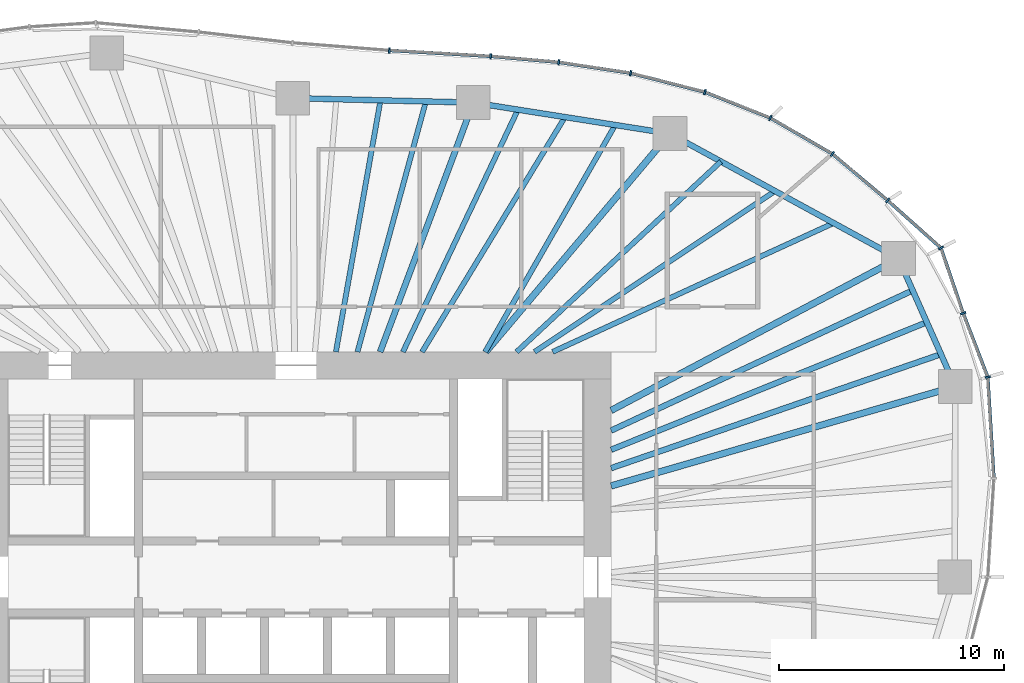
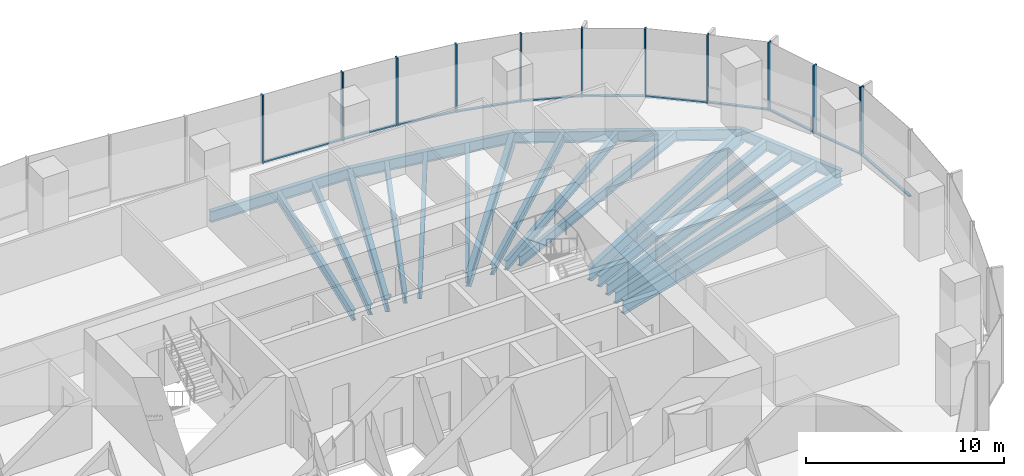
# One storey, part 6 of 18: 22 members, 19 beams, 5 elements without a shape of their own.
"""IFC4 building model written with IfcOpenShell, lengths in metres."""

from ifc_helpers import new_model, si_unit, direction, frame, origin, origin_2d, place, context, subcontext, project, spatial, rectangle, i_section, extrude, material, material_profile, profile_set, type_object, element, aggregate, save


model = new_model("IFC4")

# Units and contexts
model_context = context("Model", 3, precision=1e-05, world=origin(), true_north=direction((0.0, 1.0)))
body_context = subcontext(model_context, "Body", "Model", "MODEL_VIEW")
ifc_project = project(units=[si_unit("LENGTHUNIT", "METRE"), si_unit("AREAUNIT", "SQUARE_METRE"), si_unit("VOLUMEUNIT", "CUBIC_METRE"), si_unit("PLANEANGLEUNIT", "RADIAN"), si_unit("MASSUNIT", "GRAM", prefix="KILO")], contexts=[model_context])

# Site, building, storey
site_placement = place(None, origin())
site = spatial("IfcSite", under=ifc_project, at=site_placement, CompositionType="ELEMENT")
building_placement = place(site_placement, origin())
building = spatial("IfcBuilding", under=site, at=building_placement, Name="Ghaith Harvest Tower", CompositionType="ELEMENT")
storey_placement = place(building_placement, frame((0.0, 0.0, 121.800048828125)))
storey = spatial("IfcBuildingStorey", under=building, at=storey_placement, Name="L25", CompositionType="ELEMENT", Elevation=121.800048828125)

# Curtain wall, members
ifc_material_1 = material(Name="Black anodised aluminium and fritted glass", Category="aluminium")
curtain_wall_type = type_object("IfcCurtainWallType", Name="CW-L CURTAIN WALL", PredefinedType="NOTDEFINED", material=ifc_material_1)
curtain_wall_1_placement = place(storey_placement, origin())
curtain_wall_1 = element("IfcCurtainWall", 1, at=curtain_wall_1_placement, inside=storey, type_object=curtain_wall_type, Name="Curtain wall CW-L bay 02 L25", PredefinedType="NOTDEFINED")
ifc_material_2 = material(Name="Aluminium, black anodised", Category="aluminium")
ifc_material_profile_1 = material_profile(ifc_material_2, rectangle(XDim=0.080078125, YDim=0.239990234375, at=origin_2d()), Name="CW-L MULLION 80x240")
ifc_profile_set_1 = profile_set([ifc_material_profile_1], Name="Aluminium, black anodised")
member_type_1 = type_object("IfcMemberType", Name="CW-L MULLION 80x240", PredefinedType="MULLION", material=ifc_profile_set_1)
member_1_placement = place(storey_placement, frame((30.727294921875, 8.880859375, 0.0), z_axis=(0.0, 0.0, 1.0), x_axis=(-0.183070248196, 0.983099834313, 0.0)))
member_1 = element("IfcMember", 2, at=member_1_placement, type_object=member_type_1, Name="CW-L mullion 1 bay 02 L25", PredefinedType="MULLION", context=body_context, shape_type="SweptSolid", body=[
    extrude(rectangle(XDim=0.080078125, YDim=0.239990234375, at=origin_2d()), origin(), (0.0, 0.0, 1.0), 4.199951171875),
])
member_2_placement = place(storey_placement, frame((29.634521484375, 11.7158203125, 0.0), z_axis=(0.0, 0.0, 1.0), x_axis=(-0.340771198528, 0.940146260033, 0.0)))
member_2 = element("IfcMember", 3, at=member_2_placement, type_object=member_type_1, Name="CW-L mullion 2 bay 02 L25", PredefinedType="MULLION", context=body_context, shape_type="SweptSolid", body=[
    extrude(rectangle(XDim=0.080078125, YDim=0.239990234375, at=origin_2d()), origin(), (0.0, 0.0, 1.0), 4.199951171875),
])
member_3_placement = place(storey_placement, frame((28.64990234375, 14.61181640625, 0.0), z_axis=(0.0, 0.0, 1.0), x_axis=(-0.556324287652, 0.830965274225, 0.0)))
member_3 = element("IfcMember", 4, at=member_3_placement, type_object=member_type_1, Name="CW-L mullion 3 bay 02 L25", PredefinedType="MULLION", context=body_context, shape_type="SweptSolid", body=[
    extrude(rectangle(XDim=0.080078125, YDim=0.239990234375, at=origin_2d()), origin(), (0.0, 0.0, 1.0), 4.199951171875),
])

curtain_wall_2_placement = place(storey_placement, origin())
curtain_wall_2 = element("IfcCurtainWall", 5, at=curtain_wall_2_placement, inside=storey, type_object=curtain_wall_type, Name="Curtain wall CW-L bay 03 L25", PredefinedType="NOTDEFINED")
member_4_placement = place(storey_placement, frame((26.28076171875, 16.725341796875, 0.0), z_axis=(0.0, 0.0, 1.0), x_axis=(-0.755999423268, 0.654572281737, 0.0)))
member_4 = element("IfcMember", 6, at=member_4_placement, type_object=member_type_1, Name="CW-L mullion 1 bay 03 L25", PredefinedType="MULLION", context=body_context, shape_type="SweptSolid", body=[
    extrude(rectangle(XDim=0.080078125, YDim=0.239990234375, at=origin_2d()), origin(), (0.0, 0.0, 1.0), 4.199951171875),
])
member_5_placement = place(storey_placement, frame((23.82177734375, 18.792236328125, 0.0), z_axis=(0.0, 0.0, 1.0), x_axis=(-0.818228862146, 0.574892624018, 0.0)))
member_5 = element("IfcMember", 7, at=member_5_placement, type_object=member_type_1, Name="CW-L mullion 2 bay 03 L25", PredefinedType="MULLION", context=body_context, shape_type="SweptSolid", body=[
    extrude(rectangle(XDim=0.080078125, YDim=0.239990234375, at=origin_2d()), origin(), (0.0, 0.0, 1.0), 4.199951171875),
])
member_6_placement = place(storey_placement, frame((21.066162109375, 20.38916015625, 0.0), z_axis=(0.0, 0.0, 1.0), x_axis=(-0.899713343282, 0.436481270985, 0.0)))
member_6 = element("IfcMember", 8, at=member_6_placement, type_object=member_type_1, Name="CW-L mullion 3 bay 03 L25", PredefinedType="MULLION", context=body_context, shape_type="SweptSolid", body=[
    extrude(rectangle(XDim=0.080078125, YDim=0.239990234375, at=origin_2d()), origin(), (0.0, 0.0, 1.0), 4.199951171875),
])

curtain_wall_3_placement = place(storey_placement, origin())
curtain_wall_3 = element("IfcCurtainWall", 9, at=curtain_wall_3_placement, inside=storey, type_object=curtain_wall_type, Name="Curtain wall CW-L bay 04 L25", PredefinedType="NOTDEFINED")
member_7_placement = place(storey_placement, frame((18.162353515625, 21.537841796875, 0.0), z_axis=(0.0, 0.0, 1.0), x_axis=(-0.952152258113, 0.30562407852, 0.0)))
member_7 = element("IfcMember", 10, at=member_7_placement, type_object=member_type_1, Name="CW-L mullion 1 bay 04 L25", PredefinedType="MULLION", context=body_context, shape_type="SweptSolid", body=[
    extrude(rectangle(XDim=0.080078125, YDim=0.239990234375, at=origin_2d()), origin(), (0.0, 0.0, 1.0), 4.199951171875),
])
member_8_placement = place(storey_placement, frame((14.86474609375, 22.379638671875, 0.0), z_axis=(0.0, 0.0, 1.0), x_axis=(-0.979751952122, 0.200215165041, 0.0)))
member_8 = element("IfcMember", 11, at=member_8_placement, type_object=member_type_1, Name="CW-L mullion 2 bay 04 L25", PredefinedType="MULLION", context=body_context, shape_type="SweptSolid", body=[
    extrude(rectangle(XDim=0.080078125, YDim=0.239990234375, at=origin_2d()), origin(), (0.0, 0.0, 1.0), 4.199951171875),
])
member_9_placement = place(storey_placement, frame((11.672607421875, 22.864013671875, 0.0), z_axis=(0.0, 0.0, 1.0), x_axis=(-0.992800497873, 0.119779678673, 0.0)))
member_9 = element("IfcMember", 12, at=member_9_placement, type_object=member_type_1, Name="CW-L mullion 3 bay 04 L25", PredefinedType="MULLION", context=body_context, shape_type="SweptSolid", body=[
    extrude(rectangle(XDim=0.080078125, YDim=0.239990234375, at=origin_2d()), origin(), (0.0, 0.0, 1.0), 4.199951171875),
])

curtain_wall_4_placement = place(storey_placement, origin())
curtain_wall_4 = element("IfcCurtainWall", 13, at=curtain_wall_4_placement, inside=storey, type_object=curtain_wall_type, Name="Curtain wall CW-L bay 05 L25", PredefinedType="NOTDEFINED")
member_10_placement = place(storey_placement, frame((8.646728515625, 23.1298828125, 0.0), z_axis=(0.0, 0.0, 1.0), x_axis=(-0.997558767319, 0.069831982257, 0.0)))
member_10 = element("IfcMember", 14, at=member_10_placement, type_object=member_type_1, Name="CW-L mullion 1 bay 05 L25", PredefinedType="MULLION", context=body_context, shape_type="SweptSolid", body=[
    extrude(rectangle(XDim=0.080078125, YDim=0.239990234375, at=origin_2d()), origin(), (0.0, 0.0, 1.0), 4.199951171875),
])
member_11_placement = place(storey_placement, frame((4.146728515625, 23.390869140625, 0.0), z_axis=(0.0, 0.0, 1.0), x_axis=(-0.997689895047, 0.067932858925, 0.0)))
member_11 = element("IfcMember", 15, at=member_11_placement, type_object=member_type_1, Name="CW-L mullion 2 bay 05 L25", PredefinedType="MULLION", context=body_context, shape_type="SweptSolid", body=[
    extrude(rectangle(XDim=0.080078125, YDim=0.239990234375, at=origin_2d()), origin(), (0.0, 0.0, 1.0), 4.199951171875),
])

# Curtain wall, member
curtain_wall_5_placement = place(storey_placement, origin())
curtain_wall_5 = element("IfcCurtainWall", 16, at=curtain_wall_5_placement, inside=storey, type_object=curtain_wall_type, Name="Curtain wall CW-L bay 01 L25", PredefinedType="NOTDEFINED")
ifc_material_3 = material(Name="Aluminium, black anodised", Category="aluminium")
ifc_material_profile_2 = material_profile(ifc_material_3, rectangle(XDim=0.14990234375, YDim=0.080078125, at=origin_2d()), Name="CW-L TRANSOM 150x80")
ifc_profile_set_2 = profile_set([ifc_material_profile_2], Name="Aluminium, black anodised")
member_type_2 = type_object("IfcMemberType", Name="CW-L TRANSOM 150x80", PredefinedType="USERDEFINED", material=ifc_profile_set_2)
member_12_placement = place(storey_placement, frame((30.996337890625, 4.4296875, 0.0400390625), z_axis=(-0.060328261132, 0.99817859169, 0.0), x_axis=(-0.99817859169, -0.060328261132, 0.0)))
member_12 = element("IfcMember", 17, at=member_12_placement, type_object=member_type_2, Name="CW-L transom 2 bay 01 L25", ObjectType="TRANSOM", PredefinedType="USERDEFINED", context=body_context, shape_type="SweptSolid", body=[
    extrude(rectangle(XDim=0.14990234375, YDim=0.080078125, at=origin_2d()), origin(), (0.0, 0.0, 1.0), 4.419189453125),
])
aggregate(curtain_wall_5, [member_12])

# Member
member_13_placement = place(storey_placement, frame((30.712890625, 8.918212890625, 0.0400390625), z_axis=(-0.359637050526, 0.933092274048, 0.0), x_axis=(-0.933092274048, -0.359637050526, 0.0)))
member_13 = element("IfcMember", 18, at=member_13_placement, type_object=member_type_2, Name="CW-L transom 1 bay 02 L25", ObjectType="TRANSOM", PredefinedType="USERDEFINED", context=body_context, shape_type="SweptSolid", body=[
    extrude(rectangle(XDim=0.14990234375, YDim=0.080078125, at=origin_2d()), origin(), (0.0, 0.0, 1.0), 2.95849609375),
])

member_14_placement = place(storey_placement, frame((29.62158203125, 11.75390625, 0.0400390625), z_axis=(-0.321877752664, 0.946781237847, 0.0), x_axis=(-0.946781237847, -0.321877752664, 0.0)))
member_14 = element("IfcMember", 19, at=member_14_placement, type_object=member_type_2, Name="CW-L transom 2 bay 02 L25", ObjectType="TRANSOM", PredefinedType="USERDEFINED", context=body_context, shape_type="SweptSolid", body=[
    extrude(rectangle(XDim=0.14990234375, YDim=0.080078125, at=origin_2d()), origin(), (0.0, 0.0, 1.0), 2.978515625),
])

member_15_placement = place(storey_placement, frame((28.6201171875, 14.638427734375, 0.0400390625), z_axis=(-0.74622871112, 0.665689650438, 0.0), x_axis=(-0.665689650438, -0.74622871112, 0.0)))
member_15 = element("IfcMember", 20, at=member_15_placement, type_object=member_type_2, Name="CW-L transom 3 bay 02 L25", ObjectType="TRANSOM", PredefinedType="USERDEFINED", context=body_context, shape_type="SweptSolid", body=[
    extrude(rectangle(XDim=0.14990234375, YDim=0.080078125, at=origin_2d()), origin(), (0.0, 0.0, 1.0), 3.094970703125),
])

aggregate(curtain_wall_1, [member_1, member_13, member_2, member_14, member_3, member_15])

member_16_placement = place(storey_placement, frame((26.25, 16.7509765625, 0.0400390625), z_axis=(-0.765428400685, 0.643521066808, 0.0), x_axis=(-0.643521066808, -0.765428400685, 0.0)))
member_16 = element("IfcMember", 21, at=member_16_placement, type_object=member_type_2, Name="CW-L transom 1 bay 03 L25", ObjectType="TRANSOM", PredefinedType="USERDEFINED", context=body_context, shape_type="SweptSolid", body=[
    extrude(rectangle(XDim=0.14990234375, YDim=0.080078125, at=origin_2d()), origin(), (0.0, 0.0, 1.0), 3.132080078125),
])

member_17_placement = place(storey_placement, frame((23.787353515625, 18.812255859375, 0.0400390625), z_axis=(-0.865212673937, 0.50140505468, 0.0), x_axis=(-0.50140505468, -0.865212673937, 0.0)))
member_17 = element("IfcMember", 22, at=member_17_placement, type_object=member_type_2, Name="CW-L transom 2 bay 03 L25", ObjectType="TRANSOM", PredefinedType="USERDEFINED", context=body_context, shape_type="SweptSolid", body=[
    extrude(rectangle(XDim=0.14990234375, YDim=0.080078125, at=origin_2d()), origin(), (0.0, 0.0, 1.0), 3.10498046875),
])

member_18_placement = place(storey_placement, frame((21.029052734375, 20.40380859375, 0.0400390625), z_axis=(-0.929880954826, 0.367860584804, 0.0), x_axis=(-0.367860584804, -0.929880954826, 0.0)))
member_18 = element("IfcMember", 23, at=member_18_placement, type_object=member_type_2, Name="CW-L transom 3 bay 03 L25", ObjectType="TRANSOM", PredefinedType="USERDEFINED", context=body_context, shape_type="SweptSolid", body=[
    extrude(rectangle(XDim=0.14990234375, YDim=0.080078125, at=origin_2d()), origin(), (0.0, 0.0, 1.0), 3.04296875),
])

aggregate(curtain_wall_2, [member_4, member_16, member_5, member_17, member_6, member_18])

member_19_placement = place(storey_placement, frame((18.12353515625, 21.5478515625, 0.0400390625), z_axis=(-0.968942433805, 0.247286392614, 0.0), x_axis=(-0.247286392614, -0.968942433805, 0.0)))
member_19 = element("IfcMember", 24, at=member_19_placement, type_object=member_type_2, Name="CW-L transom 1 bay 04 L25", ObjectType="TRANSOM", PredefinedType="USERDEFINED", context=body_context, shape_type="SweptSolid", body=[
    extrude(rectangle(XDim=0.14990234375, YDim=0.080078125, at=origin_2d()), origin(), (0.0, 0.0, 1.0), 3.3232421875),
])

member_20_placement = place(storey_placement, frame((14.8251953125, 22.3857421875, 0.0400390625), z_axis=(-0.988680676153, 0.150035064572, 0.0), x_axis=(-0.150035064572, -0.988680676153, 0.0)))
member_20 = element("IfcMember", 25, at=member_20_placement, type_object=member_type_2, Name="CW-L transom 2 bay 04 L25", ObjectType="TRANSOM", PredefinedType="USERDEFINED", context=body_context, shape_type="SweptSolid", body=[
    extrude(rectangle(XDim=0.14990234375, YDim=0.080078125, at=origin_2d()), origin(), (0.0, 0.0, 1.0), 3.148681640625),
])

member_21_placement = place(storey_placement, frame((11.632568359375, 22.86767578125, 0.0400390625), z_axis=(-0.996171193061, 0.087423990507, 0.0), x_axis=(-0.087423990507, -0.996171193061, 0.0)))
member_21 = element("IfcMember", 26, at=member_21_placement, type_object=member_type_2, Name="CW-L transom 3 bay 04 L25", ObjectType="TRANSOM", PredefinedType="USERDEFINED", context=body_context, shape_type="SweptSolid", body=[
    extrude(rectangle(XDim=0.14990234375, YDim=0.080078125, at=origin_2d()), origin(), (0.0, 0.0, 1.0), 2.957275390625),
])

aggregate(curtain_wall_3, [member_7, member_19, member_8, member_20, member_9, member_21])

member_22_placement = place(storey_placement, frame((8.60693359375, 23.132080078125, 0.0400390625), z_axis=(-0.998319515187, 0.057949509028, 0.0), x_axis=(-0.057949509028, -0.998319515187, 0.0)))
member_22 = element("IfcMember", 27, at=member_22_placement, type_object=member_type_2, Name="CW-L transom 1 bay 05 L25", ObjectType="TRANSOM", PredefinedType="USERDEFINED", context=body_context, shape_type="SweptSolid", body=[
    extrude(rectangle(XDim=0.14990234375, YDim=0.080078125, at=origin_2d()), origin(), (0.0, 0.0, 1.0), 4.427734375),
])

aggregate(curtain_wall_4, [member_10, member_22, member_11])

# Beams
ifc_material_4 = material(Name="Steel ASTM A992 Grade 50", Category="steel")
ifc_material_profile_3 = material_profile(ifc_material_4, i_section(OverallWidth=0.25390625, OverallDepth=0.68408203125, WebThickness=0.012451171875, FlangeThickness=0.018798828125, at=origin_2d()), Name="W690X140")
ifc_profile_set_3 = profile_set([ifc_material_profile_3], Name="Steel ASTM A992 Grade 50")
beam_type_1 = type_object("IfcBeamType", Name="E690-140 W690X140", PredefinedType="SPANDREL", material=ifc_profile_set_3)
beam_1_placement = place(storey_placement, frame((29.285888671875, 8.464111328125, -0.511962890625), z_axis=(-0.405635615749, 0.914034872002, 0.0), x_axis=(-0.914034872002, -0.405635615749, 0.0)))
element("IfcBeam", 28, at=beam_1_placement, inside=storey, type_object=beam_type_1, Name="Edge beam E02 L25", PredefinedType="SPANDREL", context=body_context, shape_type="SweptSolid", body=[
    extrude(i_section(OverallWidth=0.25390625, OverallDepth=0.68408203125, WebThickness=0.012451171875, FlangeThickness=0.018798828125, at=origin_2d()), origin(), (0.0, 0.0, 1.0), 6.21728515625),
])
beam_2_placement = place(storey_placement, frame((26.763916015625, 14.14697265625, -0.511962890625), z_axis=(-0.877588218279, 0.479415184509, 0.0), x_axis=(-0.479415184509, -0.877588218279, 0.0)))
element("IfcBeam", 29, at=beam_2_placement, inside=storey, type_object=beam_type_1, Name="Edge beam E03 L25", PredefinedType="SPANDREL", context=body_context, shape_type="SweptSolid", body=[
    extrude(i_section(OverallWidth=0.25390625, OverallDepth=0.68408203125, WebThickness=0.012451171875, FlangeThickness=0.018798828125, at=origin_2d()), origin(), (0.0, 0.0, 1.0), 11.57275390625),
])
beam_3_placement = place(storey_placement, frame((16.60791015625, 19.695068359375, -0.511962890625), z_axis=(-0.987788485872, 0.155800857439, 0.0), x_axis=(-0.155800857439, -0.987788485872, 0.0)))
element("IfcBeam", 30, at=beam_3_placement, inside=storey, type_object=beam_type_1, Name="Edge beam E04 L25", PredefinedType="SPANDREL", context=body_context, shape_type="SweptSolid", body=[
    extrude(i_section(OverallWidth=0.25390625, OverallDepth=0.68408203125, WebThickness=0.012451171875, FlangeThickness=0.018798828125, at=origin_2d()), origin(), (0.0, 0.0, 1.0), 8.837890625),
])
beam_4_placement = place(storey_placement, frame((7.8779296875, 21.072021484375, -0.511962890625), z_axis=(-0.999692679676, 0.024790042413, 0.0), x_axis=(-0.024790042413, -0.999692679676, 0.0)))
element("IfcBeam", 31, at=beam_4_placement, inside=storey, type_object=beam_type_1, Name="Edge beam E05 L25", PredefinedType="SPANDREL", context=body_context, shape_type="SweptSolid", body=[
    extrude(i_section(OverallWidth=0.25390625, OverallDepth=0.68408203125, WebThickness=0.012451171875, FlangeThickness=0.018798828125, at=origin_2d()), origin(), (0.0, 0.0, 1.0), 8.0263671875),
])
ifc_material_5 = material(Name="Steel ASTM A992 Grade 50", Category="steel")
ifc_material_profile_4 = material_profile(ifc_material_5, i_section(OverallWidth=0.26806640625, OverallDepth=0.77001953125, WebThickness=0.015625, FlangeThickness=0.025390625, at=origin_2d()), Name="W760X196")
ifc_profile_set_4 = profile_set([ifc_material_profile_4], Name="Steel ASTM A992 Grade 50")
beam_type_2 = type_object("IfcBeamType", Name="G760-196 W760X196", PredefinedType="BEAM", material=ifc_profile_set_4)
beam_5_placement = place(storey_placement, frame((3.73828125, 10.0, -0.554931640625), z_axis=(0.350206582147, 0.936672488024, 0.0), x_axis=(-0.936672488024, 0.350206582147, 0.0)))
element("IfcBeam", 32, at=beam_5_placement, inside=storey, type_object=beam_type_2, Name="Radial girder G05 L25", PredefinedType="BEAM", context=body_context, shape_type="SweptSolid", body=[
    extrude(i_section(OverallWidth=0.26806640625, OverallDepth=0.77001953125, WebThickness=0.015625, FlangeThickness=0.025390625, at=origin_2d()), origin(), (0.0, 0.0, 1.0), 11.820556640625),
])
ifc_material_6 = material(Name="Steel ASTM A992 Grade 50", Category="steel")
ifc_material_profile_5 = material_profile(ifc_material_6, i_section(OverallWidth=0.2939453125, OverallDepth=0.85107421875, WebThickness=0.01611328125, FlangeThickness=0.02685546875, at=origin_2d()), Name="W840X226")
ifc_profile_set_5 = profile_set([ifc_material_profile_5], Name="Steel ASTM A992 Grade 50")
beam_type_3 = type_object("IfcBeamType", Name="G840-226 W840X226", PredefinedType="BEAM", material=ifc_profile_set_5)
beam_6_placement = place(storey_placement, frame((14.0, 4.04638671875, -0.595458984375), z_axis=(0.960683993303, 0.27764413376, 0.0), x_axis=(-0.27764413376, 0.960683993303, 0.0)))
element("IfcBeam", 33, at=beam_6_placement, inside=storey, type_object=beam_type_3, Name="Radial girder G02 L25", PredefinedType="BEAM", context=body_context, shape_type="SweptSolid", body=[
    extrude(i_section(OverallWidth=0.2939453125, OverallDepth=0.85107421875, WebThickness=0.01611328125, FlangeThickness=0.02685546875, at=origin_2d()), origin(), (0.0, 0.0, 1.0), 15.911376953125),
])
beam_7_placement = place(storey_placement, frame((14.0, 7.39990234375, -0.595458984375), z_axis=(0.884082663971, 0.467330550324, 0.0), x_axis=(-0.467330550324, 0.884082663971, 0.0)))
element("IfcBeam", 34, at=beam_7_placement, inside=storey, type_object=beam_type_3, Name="Radial girder G03 L25", PredefinedType="BEAM", context=body_context, shape_type="SweptSolid", body=[
    extrude(i_section(OverallWidth=0.2939453125, OverallDepth=0.85107421875, WebThickness=0.01611328125, FlangeThickness=0.02685546875, at=origin_2d()), origin(), (0.0, 0.0, 1.0), 14.4375),
])
beam_8_placement = place(storey_placement, frame((8.4326171875, 10.0, -0.595458984375), z_axis=(0.644644245772, 0.764482698557, 0.0), x_axis=(-0.764482698557, 0.644644245772, 0.0)))
element("IfcBeam", 35, at=beam_8_placement, inside=storey, type_object=beam_type_3, Name="Radial girder G04 L25", PredefinedType="BEAM", context=body_context, shape_type="SweptSolid", body=[
    extrude(i_section(OverallWidth=0.2939453125, OverallDepth=0.85107421875, WebThickness=0.01611328125, FlangeThickness=0.02685546875, at=origin_2d()), origin(), (0.0, 0.0, 1.0), 12.681884765625),
])
ifc_material_7 = material(Name="Steel ASTM A992 Grade 50", Category="steel")
ifc_material_profile_6 = material_profile(ifc_material_7, i_section(OverallWidth=0.22900390625, OverallDepth=0.612060546875, WebThickness=0.011962890625, FlangeThickness=0.01953125, at=origin_2d()), Name="W610X125")
ifc_profile_set_6 = profile_set([ifc_material_profile_6], Name="Steel ASTM A992 Grade 50")
beam_type_4 = type_object("IfcBeamType", Name="J610-125 W610X125", PredefinedType="JOIST", material=ifc_profile_set_6)
beam_9_placement = place(storey_placement, frame((11.39990234375, 10.0, -0.47607421875), z_axis=(0.909014022454, 0.416765529983, 0.0), x_axis=(-0.416765529983, 0.909014022454, 0.0)))
element("IfcBeam", 36, at=beam_9_placement, inside=storey, type_object=beam_type_4, Name="Joist J03.1 L25", PredefinedType="JOIST", context=body_context, shape_type="SweptSolid", body=[
    extrude(i_section(OverallWidth=0.22900390625, OverallDepth=0.612060546875, WebThickness=0.011962890625, FlangeThickness=0.01953125, at=origin_2d()), origin(), (0.0, 0.0, 1.0), 13.72998046875),
])
beam_10_placement = place(storey_placement, frame((10.60009765625, 10.0, -0.47607421875), z_axis=(0.831116486766, 0.556098359489, 0.0), x_axis=(-0.556098359489, 0.831116486766, 0.0)))
element("IfcBeam", 37, at=beam_10_placement, inside=storey, type_object=beam_type_4, Name="Joist J03.2 L25", PredefinedType="JOIST", context=body_context, shape_type="SweptSolid", body=[
    extrude(i_section(OverallWidth=0.22900390625, OverallDepth=0.612060546875, WebThickness=0.011962890625, FlangeThickness=0.01953125, at=origin_2d()), origin(), (0.0, 0.0, 1.0), 12.84716796875),
])
beam_11_placement = place(storey_placement, frame((9.800048828125, 10.0, -0.47607421875), z_axis=(0.731538123562, 0.681800538116, 0.0), x_axis=(-0.681800538116, 0.731538123562, 0.0)))
element("IfcBeam", 38, at=beam_11_placement, inside=storey, type_object=beam_type_4, Name="Joist J03.3 L25", PredefinedType="JOIST", context=body_context, shape_type="SweptSolid", body=[
    extrude(i_section(OverallWidth=0.22900390625, OverallDepth=0.612060546875, WebThickness=0.011962890625, FlangeThickness=0.01953125, at=origin_2d()), origin(), (0.0, 0.0, 1.0), 12.404052734375),
])
beam_12_placement = place(storey_placement, frame((8.39990234375, 10.0, -0.47607421875), z_axis=(0.497444212127, 0.867495968764, 0.0), x_axis=(-0.867495968764, 0.497444212127, 0.0)))
element("IfcBeam", 39, at=beam_12_placement, inside=storey, type_object=beam_type_4, Name="Joist J04.1 L25", PredefinedType="JOIST", context=body_context, shape_type="SweptSolid", body=[
    extrude(i_section(OverallWidth=0.22900390625, OverallDepth=0.612060546875, WebThickness=0.011962890625, FlangeThickness=0.01953125, at=origin_2d()), origin(), (0.0, 0.0, 1.0), 11.617431640625),
])
beam_13_placement = place(storey_placement, frame((5.60009765625, 10.0, -0.47607421875), z_axis=(0.519863845761, 0.854249133374, 0.0), x_axis=(-0.854249133374, 0.519863845761, 0.0)))
element("IfcBeam", 40, at=beam_13_placement, inside=storey, type_object=beam_type_4, Name="Joist J04.2 L25", PredefinedType="JOIST", context=body_context, shape_type="SweptSolid", body=[
    extrude(i_section(OverallWidth=0.22900390625, OverallDepth=0.612060546875, WebThickness=0.011962890625, FlangeThickness=0.01953125, at=origin_2d()), origin(), (0.0, 0.0, 1.0), 12.209716796875),
])
beam_14_placement = place(storey_placement, frame((4.75, 10.0, -0.47607421875), z_axis=(0.429069356877, 0.903271546651, 0.0), x_axis=(-0.903271546651, 0.429069356877, 0.0)))
element("IfcBeam", 41, at=beam_14_placement, inside=storey, type_object=beam_type_4, Name="Joist J04.3 L25", PredefinedType="JOIST", context=body_context, shape_type="SweptSolid", body=[
    extrude(i_section(OverallWidth=0.22900390625, OverallDepth=0.612060546875, WebThickness=0.011962890625, FlangeThickness=0.01953125, at=origin_2d()), origin(), (0.0, 0.0, 1.0), 11.911376953125),
])
beam_15_placement = place(storey_placement, frame((2.73095703125, 10.0, -0.47607421875), z_axis=(0.263455967932, 0.964671422279, 0.0), x_axis=(-0.964671422279, 0.263455967932, 0.0)))
element("IfcBeam", 42, at=beam_15_placement, inside=storey, type_object=beam_type_4, Name="Joist J05.1 L25", PredefinedType="JOIST", context=body_context, shape_type="SweptSolid", body=[
    extrude(i_section(OverallWidth=0.22900390625, OverallDepth=0.612060546875, WebThickness=0.011962890625, FlangeThickness=0.01953125, at=origin_2d()), origin(), (0.0, 0.0, 1.0), 11.53173828125),
])
beam_16_placement = place(storey_placement, frame((1.772705078125, 10.0, -0.47607421875), z_axis=(0.17455599258, 0.984647249249, 0.0), x_axis=(-0.984647249249, 0.17455599258, 0.0)))
element("IfcBeam", 43, at=beam_16_placement, inside=storey, type_object=beam_type_4, Name="Joist J05.2 L25", PredefinedType="JOIST", context=body_context, shape_type="SweptSolid", body=[
    extrude(i_section(OverallWidth=0.22900390625, OverallDepth=0.612060546875, WebThickness=0.011962890625, FlangeThickness=0.01953125, at=origin_2d()), origin(), (0.0, 0.0, 1.0), 11.3486328125),
])
ifc_material_8 = material(Name="Steel ASTM A992 Grade 50", Category="steel")
ifc_material_profile_7 = material_profile(ifc_material_8, i_section(OverallWidth=0.25390625, OverallDepth=0.68408203125, WebThickness=0.012451171875, FlangeThickness=0.018798828125, at=origin_2d()), Name="W690X140")
ifc_profile_set_7 = profile_set([ifc_material_profile_7], Name="Steel ASTM A992 Grade 50")
beam_type_5 = type_object("IfcBeamType", Name="J690-140 W690X140", PredefinedType="JOIST", material=ifc_profile_set_7)
beam_17_placement = place(storey_placement, frame((14.0, 4.835693359375, -0.511962890625), z_axis=(0.945204964965, 0.32647752481, 0.0), x_axis=(-0.32647752481, 0.945204964965, 0.0)))
element("IfcBeam", 44, at=beam_17_placement, inside=storey, type_object=beam_type_5, Name="Joist J02.1 L25", PredefinedType="JOIST", context=body_context, shape_type="SweptSolid", body=[
    extrude(i_section(OverallWidth=0.25390625, OverallDepth=0.68408203125, WebThickness=0.012451171875, FlangeThickness=0.018798828125, at=origin_2d()), origin(), (0.0, 0.0, 1.0), 15.499755859375),
])
beam_18_placement = place(storey_placement, frame((14.0, 5.653564453125, -0.511962890625), z_axis=(0.927247874511, 0.374448099495, 0.0), x_axis=(-0.374448099495, 0.927247874511, 0.0)))
element("IfcBeam", 45, at=beam_18_placement, inside=storey, type_object=beam_type_5, Name="Joist J02.2 L25", PredefinedType="JOIST", context=body_context, shape_type="SweptSolid", body=[
    extrude(i_section(OverallWidth=0.25390625, OverallDepth=0.68408203125, WebThickness=0.012451171875, FlangeThickness=0.018798828125, at=origin_2d()), origin(), (0.0, 0.0, 1.0), 15.12060546875),
])
beam_19_placement = place(storey_placement, frame((14.0, 6.506103515625, -0.511962890625), z_axis=(0.906865717917, 0.42141970726, 0.0), x_axis=(-0.42141970726, 0.906865717917, 0.0)))
element("IfcBeam", 46, at=beam_19_placement, inside=storey, type_object=beam_type_5, Name="Joist J02.3 L25", PredefinedType="JOIST", context=body_context, shape_type="SweptSolid", body=[
    extrude(i_section(OverallWidth=0.25390625, OverallDepth=0.68408203125, WebThickness=0.012451171875, FlangeThickness=0.018798828125, at=origin_2d()), origin(), (0.0, 0.0, 1.0), 14.768310546875),
])

save(model, "model.ifc")
